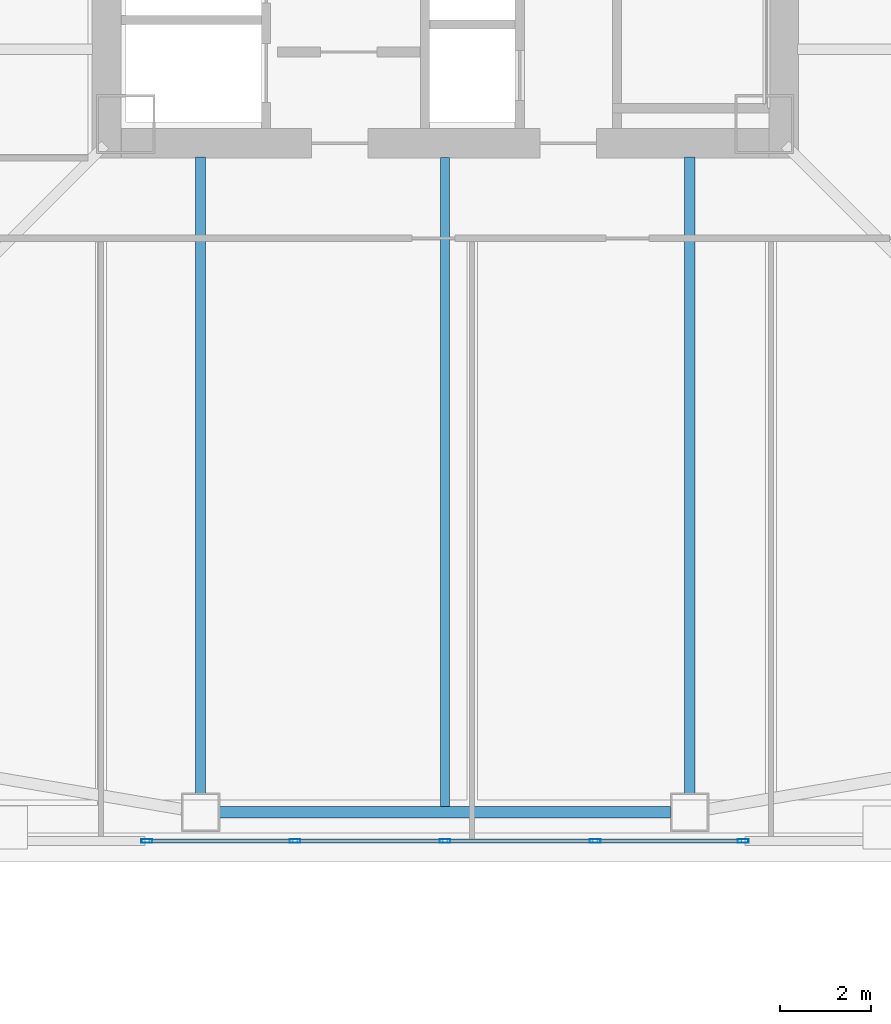
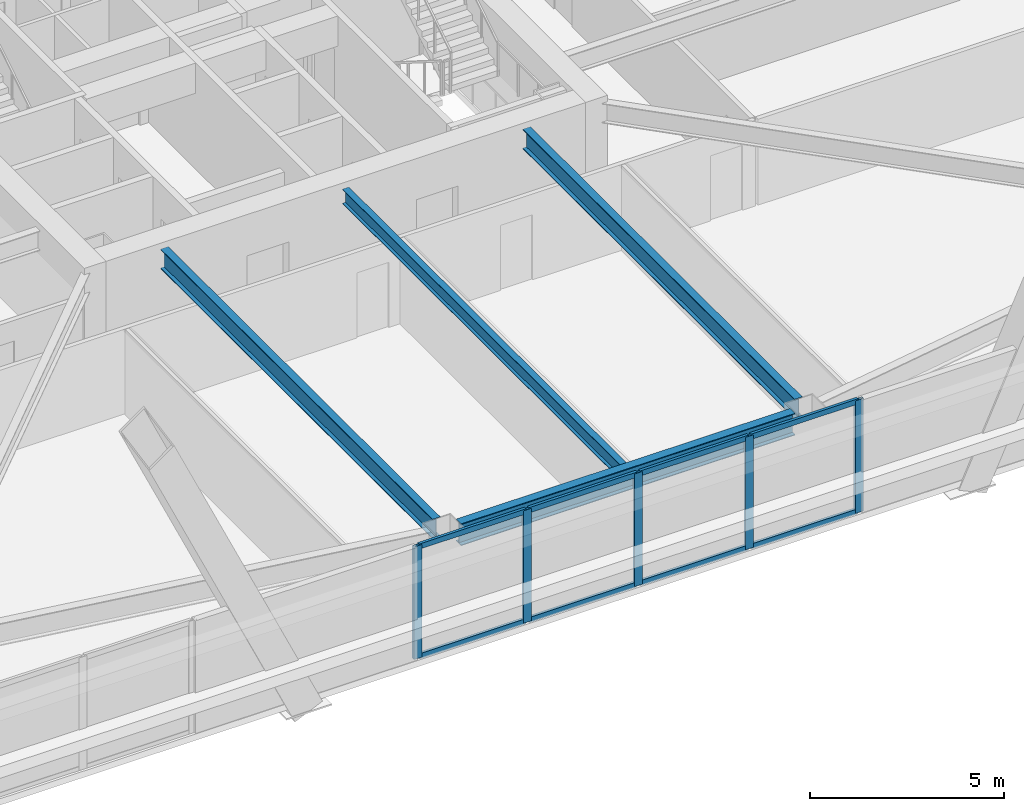
# One storey, part 7 of 75: 13 members, 4 beams, 1 element without a shape of its own.
"""IFC4 building model written with IfcOpenShell, lengths in metres."""

from ifc_helpers import new_model, si_unit, direction, frame, origin, origin_2d, place, context, subcontext, project, spatial, hollow_rectangle, i_section, extrude, material, material_profile, profile_set, type_object, element, aggregate, save


model = new_model("IFC4")

# Units and contexts
model_context = context("Model", 3, precision=1e-05, world=origin(), true_north=direction((0.0, 1.0)))
body_context = subcontext(model_context, "Body", "Model", "MODEL_VIEW")
ifc_project = project(units=[si_unit("LENGTHUNIT", "METRE"), si_unit("AREAUNIT", "SQUARE_METRE"), si_unit("VOLUMEUNIT", "CUBIC_METRE"), si_unit("PLANEANGLEUNIT", "RADIAN"), si_unit("MASSUNIT", "GRAM", prefix="KILO")], contexts=[model_context])

# Site, building, storey
site_placement = place(None, origin())
site = spatial("IfcSite", under=ifc_project, at=site_placement, CompositionType="ELEMENT")
building_placement = place(site_placement, origin())
building = spatial("IfcBuilding", under=site, at=building_placement, Name="Tashvorn Skyway Center", CompositionType="ELEMENT")
storey_placement = place(building_placement, frame((0.0, 0.0, 45.89990234375)))
storey = spatial("IfcBuildingStorey", under=building, at=storey_placement, Name="L11", CompositionType="ELEMENT", Elevation=45.89990234375)

# Beams
ifc_material_1 = material(Name="Steel ASTM A992 Grade 50", Category="steel")
ifc_material_profile_1 = material_profile(ifc_material_1, i_section(OverallWidth=0.22998046875, OverallDepth=0.616943359375, WebThickness=0.01318359375, FlangeThickness=0.022216796875, at=origin_2d()), Name="W24X94")
ifc_profile_set_1 = profile_set([ifc_material_profile_1], Name="Steel ASTM A992 Grade 50")
beam_type_1 = type_object("IfcBeamType", Name="BM-BEAM-W24X94", PredefinedType="BEAM", material=ifc_profile_set_1)
for number, where, z_axis, x_axis, name in (
    (1, (36.60009765625, 10.169921875, 3.04150390625), (0.0, 1.0, 0.0), (-1.0, 0.0, 0.0), "Tower 1 L11 Primary Floor Girder FC-S1"),
    (2, (47.39990234375, 10.169921875, 3.04150390625), (0.0, 1.0, 0.0), (-1.0, 0.0, 0.0), "Tower 1 L11 Primary Floor Girder FC-S2"),
):
    element("IfcBeam", number, at=place(storey_placement, frame(where, z_axis=z_axis, x_axis=x_axis)), inside=storey, type_object=beam_type_1, Name=name, PredefinedType="BEAM", context=body_context, shape_type="SweptSolid", body=[
        extrude(i_section(OverallWidth=0.22998046875, OverallDepth=0.616943359375, WebThickness=0.01318359375, FlangeThickness=0.022216796875, at=origin_2d()), origin(), (0.0, 0.0, 1.0), 14.050048828125),
    ])
ifc_material_profile_2 = material_profile(ifc_material_1, i_section(OverallWidth=0.19091796875, OverallDepth=0.4599609375, WebThickness=0.010009765625, FlangeThickness=0.01611328125, at=origin_2d()), Name="W18X55")
ifc_profile_set_2 = profile_set([ifc_material_profile_2], Name="Steel ASTM A992 Grade 50")
beam_type_2 = type_object("IfcBeamType", Name="BM-JOIST-W18X55", PredefinedType="JOIST", material=ifc_profile_set_2)
beam_1_placement = place(storey_placement, frame((42.0, 24.2099609375, 3.1201171875), z_axis=(0.0, -1.0, 0.0), x_axis=(1.0, 0.0, 0.0)))
element("IfcBeam", 3, at=beam_1_placement, inside=storey, type_object=beam_type_2, Name="Tower 1 L11 Secondary Composite Joist JS", PredefinedType="JOIST", context=body_context, shape_type="SweptSolid", body=[
    extrude(i_section(OverallWidth=0.19091796875, OverallDepth=0.4599609375, WebThickness=0.010009765625, FlangeThickness=0.01611328125, at=origin_2d()), origin(), (0.0, 0.0, 1.0), 14.33984375),
])
ifc_material_profile_3 = material_profile(ifc_material_1, i_section(OverallWidth=0.256103515625, OverallDepth=0.693115234375, WebThickness=0.014404296875, FlangeThickness=0.023681640625, at=origin_2d()), Name="W27X114")
ifc_profile_set_3 = profile_set([ifc_material_profile_3], Name="Steel ASTM A992 Grade 50")
beam_type_3 = type_object("IfcBeamType", Name="BM-SPANDREL-W27X114", PredefinedType="SPANDREL", material=ifc_profile_set_3)
beam_2_placement = place(storey_placement, frame((37.02001953125, 9.75, 3.003662109375), z_axis=(1.0, 0.0, 0.0), x_axis=(0.0, 1.0, 0.0)))
element("IfcBeam", 4, at=beam_2_placement, inside=storey, type_object=beam_type_3, Name="Tower 1 L11 Spandrel Beam 02", PredefinedType="SPANDREL", context=body_context, shape_type="SweptSolid", body=[
    extrude(i_section(OverallWidth=0.256103515625, OverallDepth=0.693115234375, WebThickness=0.014404296875, FlangeThickness=0.023681640625, at=origin_2d()), origin(), (0.0, 0.0, 1.0), 9.9599609375),
])

# Curtain wall, members
ifc_material_2 = material(Name="Thermally broken bronze-anodized aluminium 6063-T6", Category="aluminium")
curtain_wall_type = type_object("IfcCurtainWallType", Name="CW-CW-Z1", PredefinedType="NOTDEFINED", material=ifc_material_2)
curtain_wall_placement = place(storey_placement, origin())
curtain_wall = element("IfcCurtainWall", 5, at=curtain_wall_placement, inside=storey, type_object=curtain_wall_type, Name="Tower 1 L11 South Unitised Curtain Wall Glazing Group 2", PredefinedType="NOTDEFINED")
ifc_material_profile_4 = material_profile(ifc_material_2, hollow_rectangle(XDim=0.0849609375, YDim=0.239990234375, WallThickness=0.0048828125, at=origin_2d()), Name="ALU-MULL-85x240")
ifc_profile_set_4 = profile_set([ifc_material_profile_4], Name="Thermally broken bronze-anodized aluminium 6063-T6")
member_type_1 = type_object("IfcMemberType", Name="CWM-CW-Z1", PredefinedType="MULLION", material=ifc_profile_set_4)
member_1_placement = place(storey_placement, frame((48.584228515625, 9.1201171875, 0.0), z_axis=(0.0, 0.0, 1.0), x_axis=(0.0, -1.0, 0.0)))
member_1 = element("IfcMember", 6, at=member_1_placement, type_object=member_type_1, Name="CW-Z1 mullion 1", PredefinedType="MULLION", context=body_context, shape_type="SweptSolid", body=[
    extrude(hollow_rectangle(XDim=0.0849609375, YDim=0.239990234375, WallThickness=0.0048828125, at=origin_2d()), origin(), (0.0, 0.0, 1.0), 3.550048828125),
])
member_2_placement = place(storey_placement, frame((45.313232421875, 9.1201171875, 0.0), z_axis=(0.0, 0.0, 1.0), x_axis=(0.0, -1.0, 0.0)))
member_2 = element("IfcMember", 7, at=member_2_placement, type_object=member_type_1, Name="CW-Z1 mullion 2", PredefinedType="MULLION", context=body_context, shape_type="SweptSolid", body=[
    extrude(hollow_rectangle(XDim=0.0849609375, YDim=0.239990234375, WallThickness=0.0048828125, at=origin_2d()), origin(), (0.0, 0.0, 1.0), 3.550048828125),
])
member_3_placement = place(storey_placement, frame((42.0, 9.1201171875, 0.0), z_axis=(0.0, 0.0, 1.0), x_axis=(0.0, -1.0, 0.0)))
member_3 = element("IfcMember", 8, at=member_3_placement, type_object=member_type_1, Name="CW-Z1 mullion 3", PredefinedType="MULLION", context=body_context, shape_type="SweptSolid", body=[
    extrude(hollow_rectangle(XDim=0.0849609375, YDim=0.239990234375, WallThickness=0.0048828125, at=origin_2d()), origin(), (0.0, 0.0, 1.0), 3.550048828125),
])
member_4_placement = place(storey_placement, frame((38.686767578125, 9.1201171875, 0.0), z_axis=(0.0, 0.0, 1.0), x_axis=(0.0, -1.0, 0.0)))
member_4 = element("IfcMember", 9, at=member_4_placement, type_object=member_type_1, Name="CW-Z1 mullion 4", PredefinedType="MULLION", context=body_context, shape_type="SweptSolid", body=[
    extrude(hollow_rectangle(XDim=0.0849609375, YDim=0.239990234375, WallThickness=0.0048828125, at=origin_2d()), origin(), (0.0, 0.0, 1.0), 3.550048828125),
])
member_5_placement = place(storey_placement, frame((35.415771484375, 9.1201171875, 0.0), z_axis=(0.0, 0.0, 1.0), x_axis=(0.0, -1.0, 0.0)))
member_5 = element("IfcMember", 10, at=member_5_placement, type_object=member_type_1, Name="CW-Z1 mullion 5", PredefinedType="MULLION", context=body_context, shape_type="SweptSolid", body=[
    extrude(hollow_rectangle(XDim=0.0849609375, YDim=0.239990234375, WallThickness=0.0048828125, at=origin_2d()), origin(), (0.0, 0.0, 1.0), 3.550048828125),
])
ifc_material_profile_5 = material_profile(ifc_material_2, hollow_rectangle(XDim=0.0849609375, YDim=0.1650390625, WallThickness=0.0048828125, at=origin_2d()), Name="ALU-TRAN-85x165")
ifc_profile_set_5 = profile_set([ifc_material_profile_5], Name="Thermally broken bronze-anodized aluminium 6063-T6")
member_type_2 = type_object("IfcMemberType", Name="CWT-CW-Z1", PredefinedType="USERDEFINED", material=ifc_profile_set_5)
member_6_placement = place(storey_placement, frame((48.541748046875, 9.1201171875, 0.04248046875), z_axis=(-1.0, 0.0, 0.0), x_axis=(0.0, -1.0, 0.0)))
member_6 = element("IfcMember", 11, at=member_6_placement, type_object=member_type_2, Name="CW-Z1 transom 1.1", ObjectType="TRANSOM", PredefinedType="USERDEFINED", context=body_context, shape_type="SweptSolid", body=[
    extrude(hollow_rectangle(XDim=0.0849609375, YDim=0.1650390625, WallThickness=0.0048828125, at=origin_2d()), origin(), (0.0, 0.0, 1.0), 3.185791015625),
])
member_7_placement = place(storey_placement, frame((48.541748046875, 9.1201171875, 3.507568359375), z_axis=(-1.0, 0.0, 0.0), x_axis=(0.0, -1.0, 0.0)))
member_7 = element("IfcMember", 12, at=member_7_placement, type_object=member_type_2, Name="CW-Z1 transom 1.2", ObjectType="TRANSOM", PredefinedType="USERDEFINED", context=body_context, shape_type="SweptSolid", body=[
    extrude(hollow_rectangle(XDim=0.0849609375, YDim=0.1650390625, WallThickness=0.0048828125, at=origin_2d()), origin(), (0.0, 0.0, 1.0), 3.185791015625),
])
member_8_placement = place(storey_placement, frame((45.270751953125, 9.1201171875, 0.04248046875), z_axis=(-1.0, 0.0, 0.0), x_axis=(0.0, -1.0, 0.0)))
member_8 = element("IfcMember", 13, at=member_8_placement, type_object=member_type_2, Name="CW-Z1 transom 2.1", ObjectType="TRANSOM", PredefinedType="USERDEFINED", context=body_context, shape_type="SweptSolid", body=[
    extrude(hollow_rectangle(XDim=0.0849609375, YDim=0.1650390625, WallThickness=0.0048828125, at=origin_2d()), origin(), (0.0, 0.0, 1.0), 3.228271484375),
])
member_9_placement = place(storey_placement, frame((45.270751953125, 9.1201171875, 3.507568359375), z_axis=(-1.0, 0.0, 0.0), x_axis=(0.0, -1.0, 0.0)))
member_9 = element("IfcMember", 14, at=member_9_placement, type_object=member_type_2, Name="CW-Z1 transom 2.2", ObjectType="TRANSOM", PredefinedType="USERDEFINED", context=body_context, shape_type="SweptSolid", body=[
    extrude(hollow_rectangle(XDim=0.0849609375, YDim=0.1650390625, WallThickness=0.0048828125, at=origin_2d()), origin(), (0.0, 0.0, 1.0), 3.228271484375),
])
member_10_placement = place(storey_placement, frame((41.95751953125, 9.1201171875, 0.04248046875), z_axis=(-1.0, 0.0, 0.0), x_axis=(0.0, -1.0, 0.0)))
member_10 = element("IfcMember", 15, at=member_10_placement, type_object=member_type_2, Name="CW-Z1 transom 3.1", ObjectType="TRANSOM", PredefinedType="USERDEFINED", context=body_context, shape_type="SweptSolid", body=[
    extrude(hollow_rectangle(XDim=0.0849609375, YDim=0.1650390625, WallThickness=0.0048828125, at=origin_2d()), origin(), (0.0, 0.0, 1.0), 3.228271484375),
])
member_11_placement = place(storey_placement, frame((41.95751953125, 9.1201171875, 3.507568359375), z_axis=(-1.0, 0.0, 0.0), x_axis=(0.0, -1.0, 0.0)))
member_11 = element("IfcMember", 16, at=member_11_placement, type_object=member_type_2, Name="CW-Z1 transom 3.2", ObjectType="TRANSOM", PredefinedType="USERDEFINED", context=body_context, shape_type="SweptSolid", body=[
    extrude(hollow_rectangle(XDim=0.0849609375, YDim=0.1650390625, WallThickness=0.0048828125, at=origin_2d()), origin(), (0.0, 0.0, 1.0), 3.228271484375),
])
member_12_placement = place(storey_placement, frame((38.64404296875, 9.1201171875, 0.04248046875), z_axis=(-1.0, 0.0, 0.0), x_axis=(0.0, -1.0, 0.0)))
member_12 = element("IfcMember", 17, at=member_12_placement, type_object=member_type_2, Name="CW-Z1 transom 4.1", ObjectType="TRANSOM", PredefinedType="USERDEFINED", context=body_context, shape_type="SweptSolid", body=[
    extrude(hollow_rectangle(XDim=0.0849609375, YDim=0.1650390625, WallThickness=0.0048828125, at=origin_2d()), origin(), (0.0, 0.0, 1.0), 3.185791015625),
])
member_13_placement = place(storey_placement, frame((38.64404296875, 9.1201171875, 3.507568359375), z_axis=(-1.0, 0.0, 0.0), x_axis=(0.0, -1.0, 0.0)))
member_13 = element("IfcMember", 18, at=member_13_placement, type_object=member_type_2, Name="CW-Z1 transom 4.2", ObjectType="TRANSOM", PredefinedType="USERDEFINED", context=body_context, shape_type="SweptSolid", body=[
    extrude(hollow_rectangle(XDim=0.0849609375, YDim=0.1650390625, WallThickness=0.0048828125, at=origin_2d()), origin(), (0.0, 0.0, 1.0), 3.185791015625),
])
aggregate(curtain_wall, [member_1, member_2, member_3, member_4, member_5, member_6, member_7, member_8, member_9, member_10, member_11, member_12, member_13])

save(model, "model.ifc")
